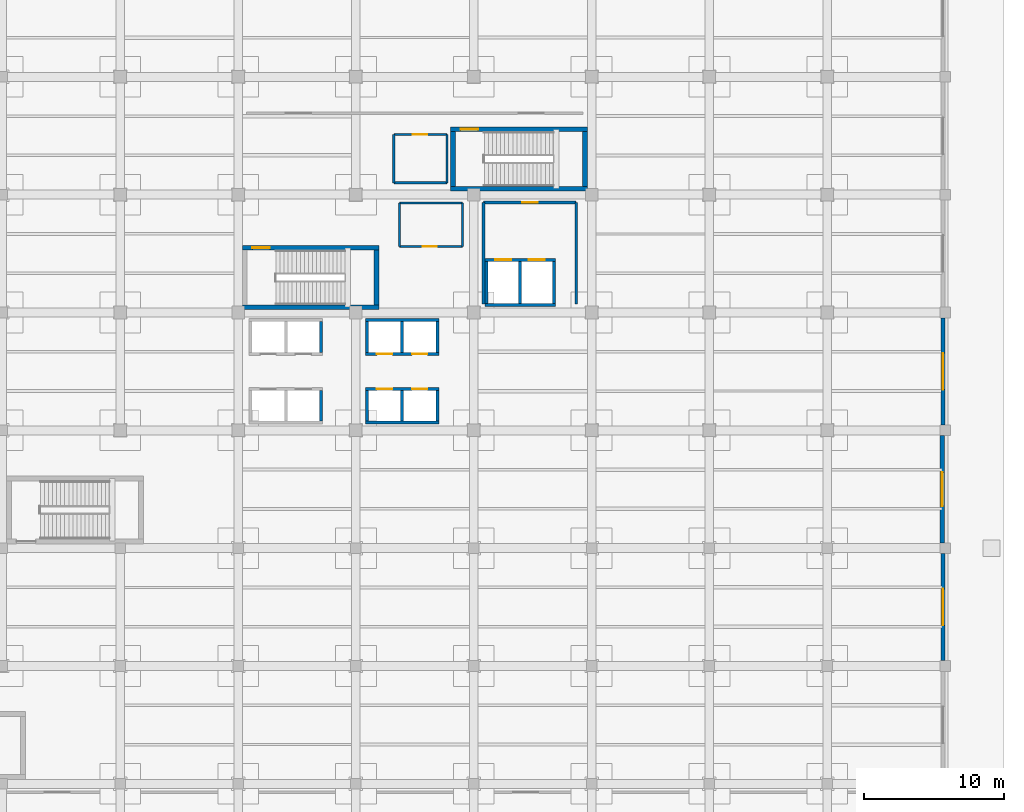
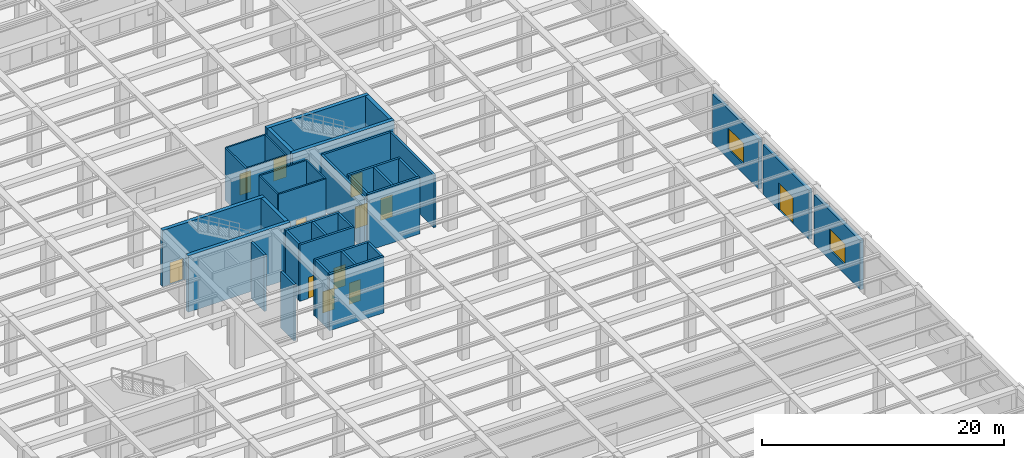
# One storey, part 30 of 43: 38 walls, 12 doors, 2 windows, 14 openings.
"""IFC4 building model written with IfcOpenShell, lengths in metres."""

from ifc_helpers import new_model, si_unit, direction, frame, frame_2d, origin, place, context, subcontext, project, spatial, rectangle, extrude, material, layer, layer_set, type_object, element, fill, save


model = new_model("IFC4")

# Units and contexts
model_context = context("Model", 3, precision=1e-05, world=origin(), true_north=direction((0.0, 1.0)))
body_context = subcontext(model_context, "Body", "Model", "MODEL_VIEW")
ifc_project = project(units=[si_unit("LENGTHUNIT", "METRE"), si_unit("AREAUNIT", "SQUARE_METRE"), si_unit("VOLUMEUNIT", "CUBIC_METRE"), si_unit("PLANEANGLEUNIT", "RADIAN"), si_unit("MASSUNIT", "GRAM", prefix="KILO")], contexts=[model_context])

# Site, building, storey
site_placement = place(None, origin())
site = spatial("IfcSite", under=ifc_project, at=site_placement, CompositionType="ELEMENT")
building_placement = place(site_placement, origin())
building = spatial("IfcBuilding", under=site, at=building_placement, Name="Almacenes y Pasaje Nevantli", CompositionType="ELEMENT")
storey_placement = place(building_placement, origin())
storey = spatial("IfcBuildingStorey", under=building, at=storey_placement, Name="L01", CompositionType="ELEMENT", Elevation=0.0)

# Wall, opening, door
ifc_material_1 = material(Name="Fire-Rated Concrete Blockwork", Category="masonry")
ifc_layer_1 = layer(ifc_material_1, 0.199951171875)
ifc_layer_set_1 = layer_set([ifc_layer_1], Name="Fire-Rated Concrete Blockwork")
wall_type_1 = type_object("IfcWallType", Name="WL-COMP-200", PredefinedType="PARTITIONING", material=ifc_layer_set_1)
wall_1_placement = place(storey_placement, frame((135.10009765625, 83.449951171875, 0.0), z_axis=(0.0, 0.0, 1.0), x_axis=(1.0, 0.0, 0.0)))
wall_1 = element("IfcWall", 1, at=wall_1_placement, inside=storey, type_object=wall_type_1, Name="L01 Interior Partition Wall IW-200 #32", PredefinedType="PARTITIONING", context=body_context, shape_type="SweptSolid", body=[
    extrude(rectangle(XDim=6.599853515625, YDim=0.199951171875, at=frame_2d((3.2998046875, 0.0))), origin(), (0.0, 0.0, 1.0), 5.320068359375),
])
opening_1_placement = place(wall_1_placement, frame((2.75, 0.0, 0.0)))
opening_1 = element("IfcOpeningElement", 2, at=opening_1_placement, cuts=wall_1, Name="Opening ID-L01-015", PredefinedType="OPENING", context=body_context, shape_type="SweptSolid", body=[
    extrude(rectangle(XDim=1.10009765625, YDim=2.199951171875, at=frame_2d((0.550048828125, 1.10009765625))), frame((0.0, 0.10986328125, 0.0), z_axis=(0.0, -1.0, 0.0), x_axis=(1.0, 0.0, 0.0)), (0.0, 0.0, 1.0), 0.219970703125),
])
ifc_material_2 = material(Name="Galvanized Fire-Rated Steel", Category="steel")
door_type_1 = type_object("IfcDoorType", Name="DR-FD90-1100R", OperationType="SINGLE_SWING_RIGHT", PredefinedType="DOOR", material=ifc_material_2)
door_1_placement = place(opening_1_placement, origin())
door_1 = element("IfcDoor", 3, at=door_1_placement, inside=storey, type_object=door_type_1, Name="L01 Firefighting Lobby Door", OperationType="SINGLE_SWING_RIGHT", OverallHeight=2.199951171875, OverallWidth=1.10009765625, PredefinedType="DOOR", context=body_context, shape_type="SweptSolid", body=[
    extrude(rectangle(XDim=1.10009765625, YDim=2.199951171875, at=frame_2d((0.550048828125, 1.10009765625))), frame((0.0, 0.02490234375, 0.0), z_axis=(0.0, -1.0, 0.0), x_axis=(1.0, 0.0, 0.0)), (0.0, 0.0, 1.0), 0.050048828125),
])
fill(opening_1, door_1)

# Walls
for number, where, z_axis, x_axis, name in (
    (4, (135.10009765625, 76.199951171875, 0.0), (0.0, 0.0, 1.0), (0.0, 1.0, 0.0), "L01 Interior Partition Wall IW-200 #33"),
    (5, (141.699951171875, 76.199951171875, 0.0), (0.0, 0.0, 1.0), (0.0, 1.0, 0.0), "L01 Interior Partition Wall IW-200 #34"),
):
    element("IfcWall", number, at=place(storey_placement, frame(where, z_axis=z_axis, x_axis=x_axis)), inside=storey, type_object=wall_type_1, Name=name, PredefinedType="PARTITIONING", context=body_context, shape_type="SweptSolid", body=[
        extrude(rectangle(XDim=7.25, YDim=0.199951171875, at=frame_2d((3.625, 0.0))), origin(), (0.0, 0.0, 1.0), 5.320068359375),
    ])
ifc_material_3 = material(Name="Concrete C45/55", Category="concrete")
ifc_layer_2 = layer(ifc_material_3, 0.35009765625)
ifc_layer_set_2 = layer_set([ifc_layer_2], Name="Concrete C45/55")
wall_type_2 = type_object("IfcWallType", Name="WL-CORE-350", PredefinedType="SHEAR", material=ifc_layer_set_2)
wall_2_placement = place(storey_placement, frame((117.89990234375, 75.97509765625, 0.0), z_axis=(0.0, 0.0, 1.0), x_axis=(1.0, 0.0, 0.0)))
element("IfcWall", 6, at=wall_2_placement, inside=storey, type_object=wall_type_2, Name="L01 Exit Stair ST-01 South Core Shear Wall", PredefinedType="SHEAR", context=body_context, shape_type="SweptSolid", body=[
    extrude(rectangle(XDim=9.75, YDim=0.35009765625, at=frame_2d((4.875, 0.0))), origin(), (0.0, 0.0, 1.0), 5.699951171875),
])

# Wall, opening, door
wall_3_placement = place(storey_placement, frame((117.89990234375, 80.215087890625, 0.0), z_axis=(0.0, 0.0, 1.0), x_axis=(1.0, 0.0, 0.0)))
wall_3 = element("IfcWall", 7, at=wall_3_placement, inside=storey, type_object=wall_type_2, Name="L01 Exit Stair ST-01 North Core Shear Wall", PredefinedType="SHEAR", context=body_context, shape_type="SweptSolid", body=[
    extrude(rectangle(XDim=9.75, YDim=0.35009765625, at=frame_2d((4.875, 0.0))), origin(), (0.0, 0.0, 1.0), 5.699951171875),
])
opening_2_placement = place(wall_3_placement, frame((0.719970703125, 0.0, 0.0)))
opening_2 = element("IfcOpeningElement", 8, at=opening_2_placement, cuts=wall_3, Name="Opening SD-01-L01", PredefinedType="OPENING", context=body_context, shape_type="SweptSolid", body=[
    extrude(rectangle(XDim=1.25, YDim=2.199951171875, at=frame_2d((0.625, 1.10009765625))), frame((0.0, 0.18505859375, 0.0), z_axis=(0.0, -1.0, 0.0), x_axis=(1.0, 0.0, 0.0)), (0.0, 0.0, 1.0), 0.3701171875),
])
ifc_material_4 = material(Name="Galvanized Fire-Rated Steel", Category="steel")
door_type_2 = type_object("IfcDoorType", Name="DR-STAIR-1250", OperationType="SINGLE_SWING_LEFT", PredefinedType="DOOR", material=ifc_material_4)
door_2_placement = place(opening_2_placement, origin())
door_2 = element("IfcDoor", 9, at=door_2_placement, inside=storey, type_object=door_type_2, Name="L01 Smokeproof Exit Stair ST-01 Fire Door", OperationType="SINGLE_SWING_LEFT", OverallHeight=2.199951171875, OverallWidth=1.25, PredefinedType="DOOR", context=body_context, shape_type="SweptSolid", body=[
    extrude(rectangle(XDim=1.25, YDim=2.199951171875, at=frame_2d((0.625, 1.10009765625))), frame((0.0, 0.02490234375, 0.0), z_axis=(0.0, -1.0, 0.0), x_axis=(1.0, 0.0, 0.0)), (0.0, 0.0, 1.0), 0.050048828125),
])
fill(opening_2, door_2)

# Walls
wall_4_placement = place(storey_placement, frame((127.47509765625, 76.14990234375, 0.0), z_axis=(0.0, 0.0, 1.0), x_axis=(0.0, 1.0, 0.0)))
element("IfcWall", 10, at=wall_4_placement, inside=storey, type_object=wall_type_2, Name="L01 Exit Stair ST-01 East Core Shear Wall", PredefinedType="SHEAR", context=body_context, shape_type="SweptSolid", body=[
    extrude(rectangle(XDim=3.89013671875, YDim=0.35009765625, at=frame_2d((1.945068359375, 0.0))), origin(), (0.0, 0.0, 1.0), 5.699951171875),
])
wall_5_placement = place(storey_placement, frame((132.75, 84.425048828125, 0.0), z_axis=(0.0, 0.0, 1.0), x_axis=(1.0, 0.0, 0.0)))
element("IfcWall", 11, at=wall_5_placement, inside=storey, type_object=wall_type_2, Name="L01 Exit Stair ST-02 South Core Shear Wall", PredefinedType="SHEAR", context=body_context, shape_type="SweptSolid", body=[
    extrude(rectangle(XDim=9.75, YDim=0.35009765625, at=frame_2d((4.875, 0.0))), origin(), (0.0, 0.0, 1.0), 5.699951171875),
])

# Wall, opening, door
wall_6_placement = place(storey_placement, frame((132.75, 88.6650390625, 0.0), z_axis=(0.0, 0.0, 1.0), x_axis=(1.0, 0.0, 0.0)))
wall_6 = element("IfcWall", 12, at=wall_6_placement, inside=storey, type_object=wall_type_2, Name="L01 Exit Stair ST-02 North Core Shear Wall", PredefinedType="SHEAR", context=body_context, shape_type="SweptSolid", body=[
    extrude(rectangle(XDim=9.75, YDim=0.35009765625, at=frame_2d((4.875, 0.0))), origin(), (0.0, 0.0, 1.0), 5.699951171875),
])
opening_3_placement = place(wall_6_placement, frame((0.719970703125, 0.0, 0.0)))
opening_3 = element("IfcOpeningElement", 13, at=opening_3_placement, cuts=wall_6, Name="Opening SD-02-L01", PredefinedType="OPENING", context=body_context, shape_type="SweptSolid", body=[
    extrude(rectangle(XDim=1.25, YDim=2.199951171875, at=frame_2d((0.625, 1.10009765625))), frame((0.0, 0.18505859375, 0.0), z_axis=(0.0, -1.0, 0.0), x_axis=(1.0, 0.0, 0.0)), (0.0, 0.0, 1.0), 0.3701171875),
])
ifc_material_5 = material(Name="Galvanized Fire-Rated Steel", Category="steel")
door_type_3 = type_object("IfcDoorType", Name="DR-STAIR-1250R", OperationType="SINGLE_SWING_RIGHT", PredefinedType="DOOR", material=ifc_material_5)
door_3_placement = place(opening_3_placement, origin())
door_3 = element("IfcDoor", 14, at=door_3_placement, inside=storey, type_object=door_type_3, Name="L01 Smokeproof Exit Stair ST-02 Fire Door", OperationType="SINGLE_SWING_RIGHT", OverallHeight=2.199951171875, OverallWidth=1.25, PredefinedType="DOOR", context=body_context, shape_type="SweptSolid", body=[
    extrude(rectangle(XDim=1.25, YDim=2.199951171875, at=frame_2d((0.625, 1.10009765625))), frame((0.0, 0.02490234375, 0.0), z_axis=(0.0, -1.0, 0.0), x_axis=(1.0, 0.0, 0.0)), (0.0, 0.0, 1.0), 0.050048828125),
])
fill(opening_3, door_3)

# Walls
for number, where, z_axis, x_axis, name in (
    (15, (132.925048828125, 84.60009765625, 0.0), (0.0, 0.0, 1.0), (0.0, 1.0, 0.0), "L01 Exit Stair ST-02 West Core Shear Wall"),
    (16, (142.324951171875, 84.60009765625, 0.0), (0.0, 0.0, 1.0), (0.0, 1.0, 0.0), "L01 Exit Stair ST-02 East Core Shear Wall"),
):
    element("IfcWall", number, at=place(storey_placement, frame(where, z_axis=z_axis, x_axis=x_axis)), inside=storey, type_object=wall_type_2, Name=name, PredefinedType="SHEAR", context=body_context, shape_type="SweptSolid", body=[
        extrude(rectangle(XDim=3.889892578125, YDim=0.35009765625, at=frame_2d((1.94482421875, 0.0))), origin(), (0.0, 0.0, 1.0), 5.699951171875),
    ])

# Wall, opening, window
ifc_material_6 = material(Name="Architectural Precast Concrete C35/45 Plinth Wall", Category="concrete")
ifc_layer_3 = layer(ifc_material_6, 0.31005859375)
ifc_layer_set_3 = layer_set([ifc_layer_3], Name="Architectural Precast Concrete C35/45 Plinth Wall")
wall_type_3 = type_object("IfcWallType", Name="WL-EXT-RECINTO-310", PredefinedType="SOLIDWALL", material=ifc_layer_set_3)
wall_7_placement = place(storey_placement, frame((167.85009765625, 50.778076171875, 0.0), z_axis=(0.0, 0.0, 1.0), x_axis=(0.0, 1.0, 0.0)))
wall_7 = element("IfcWall", 17, at=wall_7_placement, inside=storey, type_object=wall_type_3, Name="L01 East Facade Wall Bay 7", PredefinedType="SOLIDWALL", context=body_context, shape_type="SweptSolid", body=[
    extrude(rectangle(XDim=7.64404296875, YDim=0.31005859375, at=frame_2d((3.822021484375, 0.0))), origin(), (0.0, 0.0, 1.0), 4.97998046875),
])
opening_4_placement = place(wall_7_placement, frame((2.52197265625, 0.0, 1.0)))
opening_4 = element("IfcOpeningElement", 18, at=opening_4_placement, cuts=wall_7, Name="Opening WT-13-038", PredefinedType="OPENING", context=body_context, shape_type="SweptSolid", body=[
    extrude(rectangle(XDim=2.60009765625, YDim=2.10009765625, at=frame_2d((1.300048828125, 1.050048828125))), frame((0.0, 0.1650390625, 0.0), z_axis=(0.0, -1.0, 0.0), x_axis=(1.0, 0.0, 0.0)), (0.0, 0.0, 1.0), 0.330078125),
])
ifc_material_7 = material(Name="Thermally Broken Aluminium and Low-E Double Glazing", Category="aluminium")
window_type = type_object("IfcWindowType", Name="WN-POD-2600x2100", PartitioningType="SINGLE_PANEL", PredefinedType="WINDOW", material=ifc_material_7)
window_1_placement = place(opening_4_placement, origin())
window_1 = element("IfcWindow", 19, at=window_1_placement, inside=storey, type_object=window_type, Name="L01 Exterior Window WT-13 #38", OverallHeight=2.10009765625, OverallWidth=2.60009765625, PartitioningType="SINGLE_PANEL", PredefinedType="WINDOW", context=body_context, shape_type="SweptSolid", body=[
    extrude(rectangle(XDim=2.60009765625, YDim=2.10009765625, at=frame_2d((1.300048828125, 1.050048828125))), frame((0.0, 0.030029296875, 0.0), z_axis=(0.0, -1.0, 0.0), x_axis=(1.0, 0.0, 0.0)), (0.0, 0.0, 1.0), 0.06005859375),
])
fill(opening_4, window_1)

# Wall, opening, door
wall_8_placement = place(storey_placement, frame((167.800048828125, 59.177978515625, 0.0), z_axis=(0.0, 0.0, 1.0), x_axis=(0.0, 1.0, 0.0)))
wall_8 = element("IfcWall", 20, at=wall_8_placement, inside=storey, type_object=wall_type_3, Name="L01 East Avenue Entrance Wall Bay 8", PredefinedType="SOLIDWALL", context=body_context, shape_type="SweptSolid", body=[
    extrude(rectangle(XDim=7.64404296875, YDim=0.31005859375, at=frame_2d((3.822021484375, 0.0))), origin(), (0.0, 0.0, 1.0), 4.97998046875),
])
opening_5_placement = place(wall_8_placement, frame((2.6220703125, 0.0, 0.0)))
opening_5 = element("IfcOpeningElement", 21, at=opening_5_placement, cuts=wall_8, Name="Opening ED-L01-035", PredefinedType="OPENING", context=body_context, shape_type="SweptSolid", body=[
    extrude(rectangle(XDim=2.39990234375, YDim=2.699951171875, at=frame_2d((1.199951171875, 1.35009765625))), frame((0.0, 0.1650390625, 0.0), z_axis=(0.0, -1.0, 0.0), x_axis=(1.0, 0.0, 0.0)), (0.0, 0.0, 1.0), 0.330078125),
])
ifc_material_8 = material(Name="Anodized Aluminium and Safety Glass", Category="aluminium")
door_type_4 = type_object("IfcDoorType", Name="DR-EXT-DBL-2400", OperationType="DOUBLE_DOOR_SINGLE_SWING", PredefinedType="DOOR", material=ifc_material_8)
door_4_placement = place(opening_5_placement, origin())
door_4 = element("IfcDoor", 22, at=door_4_placement, inside=storey, type_object=door_type_4, Name="L01 East Avenue Entrance Door Bay 8", OperationType="DOUBLE_DOOR_SINGLE_SWING", OverallHeight=2.699951171875, OverallWidth=2.39990234375, PredefinedType="DOOR", context=body_context, shape_type="SweptSolid", body=[
    extrude(rectangle(XDim=2.39990234375, YDim=2.699951171875, at=frame_2d((1.199951171875, 1.35009765625))), frame((0.0, 0.02490234375, 0.0), z_axis=(0.0, -1.0, 0.0), x_axis=(1.0, 0.0, 0.0)), (0.0, 0.0, 1.0), 0.050048828125),
])
fill(opening_5, door_4)

# Wall, opening, window
wall_9_placement = place(storey_placement, frame((167.85009765625, 67.577880859375, 0.0), z_axis=(0.0, 0.0, 1.0), x_axis=(0.0, 1.0, 0.0)))
wall_9 = element("IfcWall", 23, at=wall_9_placement, inside=storey, type_object=wall_type_3, Name="L01 East Facade Wall Bay 9", PredefinedType="SOLIDWALL", context=body_context, shape_type="SweptSolid", body=[
    extrude(rectangle(XDim=7.64404296875, YDim=0.31005859375, at=frame_2d((3.822021484375, 0.0))), origin(), (0.0, 0.0, 1.0), 4.97998046875),
])
opening_6_placement = place(wall_9_placement, frame((2.52197265625, 0.0, 1.0)))
opening_6 = element("IfcOpeningElement", 24, at=opening_6_placement, cuts=wall_9, Name="Opening WT-13-039", PredefinedType="OPENING", context=body_context, shape_type="SweptSolid", body=[
    extrude(rectangle(XDim=2.60009765625, YDim=2.10009765625, at=frame_2d((1.300048828125, 1.050048828125))), frame((0.0, 0.1650390625, 0.0), z_axis=(0.0, -1.0, 0.0), x_axis=(1.0, 0.0, 0.0)), (0.0, 0.0, 1.0), 0.330078125),
])
window_2_placement = place(opening_6_placement, origin())
window_2 = element("IfcWindow", 25, at=window_2_placement, inside=storey, type_object=window_type, Name="L01 Exterior Window WT-13 #39", OverallHeight=2.10009765625, OverallWidth=2.60009765625, PartitioningType="SINGLE_PANEL", PredefinedType="WINDOW", context=body_context, shape_type="SweptSolid", body=[
    extrude(rectangle(XDim=2.60009765625, YDim=2.10009765625, at=frame_2d((1.300048828125, 1.050048828125))), frame((0.0, 0.030029296875, 0.0), z_axis=(0.0, -1.0, 0.0), x_axis=(1.0, 0.0, 0.0)), (0.0, 0.0, 1.0), 0.06005859375),
])
fill(opening_6, window_2)

# Wall, opening, door
ifc_material_9 = material(Name="Acoustic Steel-Stud Gypsum Partition", Category="steel")
ifc_layer_4 = layer(ifc_material_9, 0.14990234375)
ifc_layer_set_4 = layer_set([ifc_layer_4], Name="Acoustic Steel-Stud Gypsum Partition")
wall_type_4 = type_object("IfcWallType", Name="WL-PART-150", PredefinedType="PARTITIONING", material=ifc_layer_set_4)
wall_10_placement = place(storey_placement, frame((129.10009765625, 80.300048828125, 0.0), z_axis=(0.0, 0.0, 1.0), x_axis=(1.0, 0.0, 0.0)))
wall_10 = element("IfcWall", 26, at=wall_10_placement, inside=storey, type_object=wall_type_4, Name="L01 Interior Partition Wall IW-150 #35", PredefinedType="PARTITIONING", context=body_context, shape_type="SweptSolid", body=[
    extrude(rectangle(XDim=4.5, YDim=0.14990234375, at=frame_2d((2.25, 0.0))), origin(), (0.0, 0.0, 1.0), 5.320068359375),
])
opening_7_placement = place(wall_10_placement, frame((1.64990234375, 0.0, 0.0)))
opening_7 = element("IfcOpeningElement", 27, at=opening_7_placement, cuts=wall_10, Name="Opening ID-L01-016", PredefinedType="OPENING", context=body_context, shape_type="SweptSolid", body=[
    extrude(rectangle(XDim=1.0, YDim=2.10009765625, at=frame_2d((0.5, 1.050048828125))), frame((0.0, 0.0849609375, 0.0), z_axis=(0.0, -1.0, 0.0), x_axis=(1.0, 0.0, 0.0)), (0.0, 0.0, 1.0), 0.169921875),
])
ifc_material_10 = material(Name="Powder-Coated Hollow Metal", Category="steel")
door_type_5 = type_object("IfcDoorType", Name="DR-INT-1000", OperationType="SINGLE_SWING_LEFT", PredefinedType="DOOR", material=ifc_material_10)
door_5_placement = place(opening_7_placement, origin())
door_5 = element("IfcDoor", 28, at=door_5_placement, inside=storey, type_object=door_type_5, Name="L01 Staff and Public WC Door", OperationType="SINGLE_SWING_LEFT", OverallHeight=2.10009765625, OverallWidth=1.0, PredefinedType="DOOR", context=body_context, shape_type="SweptSolid", body=[
    extrude(rectangle(XDim=1.0, YDim=2.10009765625, at=frame_2d((0.5, 1.050048828125))), frame((0.0, 0.02490234375, 0.0), z_axis=(0.0, -1.0, 0.0), x_axis=(1.0, 0.0, 0.0)), (0.0, 0.0, 1.0), 0.050048828125),
])
fill(opening_7, door_5)

# Walls
wall_11_placement = place(storey_placement, frame((129.10009765625, 83.39990234375, 0.0), z_axis=(0.0, 0.0, 1.0), x_axis=(1.0, 0.0, 0.0)))
element("IfcWall", 29, at=wall_11_placement, inside=storey, type_object=wall_type_4, Name="L01 Interior Partition Wall IW-150 #36", PredefinedType="PARTITIONING", context=body_context, shape_type="SweptSolid", body=[
    extrude(rectangle(XDim=4.5, YDim=0.14990234375, at=frame_2d((2.25, 0.0))), origin(), (0.0, 0.0, 1.0), 5.320068359375),
])
for number, where, z_axis, x_axis, name in (
    (30, (129.10009765625, 80.300048828125, 0.0), (0.0, 0.0, 1.0), (0.0, 1.0, 0.0), "L01 Interior Partition Wall IW-150 #37"),
    (31, (133.60009765625, 80.300048828125, 0.0), (0.0, 0.0, 1.0), (0.0, 1.0, 0.0), "L01 Interior Partition Wall IW-150 #38"),
):
    element("IfcWall", number, at=place(storey_placement, frame(where, z_axis=z_axis, x_axis=x_axis)), inside=storey, type_object=wall_type_4, Name=name, PredefinedType="PARTITIONING", context=body_context, shape_type="SweptSolid", body=[
        extrude(rectangle(XDim=3.099853515625, YDim=0.14990234375, at=frame_2d((1.5498046875, 0.0))), origin(), (0.0, 0.0, 1.0), 5.320068359375),
    ])

# Wall, opening, door
wall_12_placement = place(storey_placement, frame((128.699951171875, 88.300048828125, 0.0), z_axis=(0.0, 0.0, 1.0), x_axis=(1.0, 0.0, 0.0)))
wall_12 = element("IfcWall", 32, at=wall_12_placement, inside=storey, type_object=wall_type_4, Name="L01 Interior Partition Wall IW-150 #39", PredefinedType="PARTITIONING", context=body_context, shape_type="SweptSolid", body=[
    extrude(rectangle(XDim=3.800048828125, YDim=0.14990234375, at=frame_2d((1.89990234375, 0.0))), origin(), (0.0, 0.0, 1.0), 5.320068359375),
])
opening_8_placement = place(wall_12_placement, frame((1.35009765625, 0.0, 0.0)))
opening_8 = element("IfcOpeningElement", 33, at=opening_8_placement, cuts=wall_12, Name="Opening ID-L01-017", PredefinedType="OPENING", context=body_context, shape_type="SweptSolid", body=[
    extrude(rectangle(XDim=1.050048828125, YDim=2.14990234375, at=frame_2d((0.52490234375, 1.074951171875))), frame((0.0, 0.0849609375, 0.0), z_axis=(0.0, -1.0, 0.0), x_axis=(1.0, 0.0, 0.0)), (0.0, 0.0, 1.0), 0.169921875),
])
ifc_material_11 = material(Name="Powder-Coated Hollow Metal", Category="steel")
door_type_6 = type_object("IfcDoorType", Name="DR-ACC-1050", OperationType="SINGLE_SWING_RIGHT", PredefinedType="DOOR", material=ifc_material_11)
door_6_placement = place(opening_8_placement, origin())
door_6 = element("IfcDoor", 34, at=door_6_placement, inside=storey, type_object=door_type_6, Name="L01 Accessible WC Door", OperationType="SINGLE_SWING_RIGHT", OverallHeight=2.14990234375, OverallWidth=1.050048828125, PredefinedType="DOOR", context=body_context, shape_type="SweptSolid", body=[
    extrude(rectangle(XDim=1.050048828125, YDim=2.14990234375, at=frame_2d((0.52490234375, 1.074951171875))), frame((0.0, 0.02490234375, 0.0), z_axis=(0.0, -1.0, 0.0), x_axis=(1.0, 0.0, 0.0)), (0.0, 0.0, 1.0), 0.050048828125),
])
fill(opening_8, door_6)

# Walls
wall_13_placement = place(storey_placement, frame((128.699951171875, 84.85009765625, 0.0), z_axis=(0.0, 0.0, 1.0), x_axis=(1.0, 0.0, 0.0)))
element("IfcWall", 35, at=wall_13_placement, inside=storey, type_object=wall_type_4, Name="L01 Interior Partition Wall IW-150 #40", PredefinedType="PARTITIONING", context=body_context, shape_type="SweptSolid", body=[
    extrude(rectangle(XDim=3.800048828125, YDim=0.14990234375, at=frame_2d((1.89990234375, 0.0))), origin(), (0.0, 0.0, 1.0), 5.320068359375),
])
for number, where, z_axis, x_axis, name in (
    (36, (128.699951171875, 84.85009765625, 0.0), (0.0, 0.0, 1.0), (0.0, 1.0, 0.0), "L01 Interior Partition Wall IW-150 #41"),
    (37, (132.5, 84.85009765625, 0.0), (0.0, 0.0, 1.0), (0.0, 1.0, 0.0), "L01 Interior Partition Wall IW-150 #42"),
):
    element("IfcWall", number, at=place(storey_placement, frame(where, z_axis=z_axis, x_axis=x_axis)), inside=storey, type_object=wall_type_4, Name=name, PredefinedType="PARTITIONING", context=body_context, shape_type="SweptSolid", body=[
        extrude(rectangle(XDim=3.449951171875, YDim=0.14990234375, at=frame_2d((1.72509765625, 0.0))), origin(), (0.0, 0.0, 1.0), 5.320068359375),
    ])
ifc_material_12 = material(Name="Concrete C45/55", Category="concrete")
ifc_layer_5 = layer(ifc_material_12, 0.2099609375)
ifc_layer_set_5 = layer_set([ifc_layer_5], Name="Concrete C45/55")
wall_type_5 = type_object("IfcWallType", Name="WL-SHAFT-210", PredefinedType="SHEAR", material=ifc_layer_set_5)
wall_14_placement = place(storey_placement, frame((126.68994140625, 67.7451171875, 0.0), z_axis=(0.0, 0.0, 1.0), x_axis=(1.0, 0.0, 0.0)))
element("IfcWall", 38, at=wall_14_placement, inside=storey, type_object=wall_type_5, Name="L01 Lift Hoistway ELV-P01-ELV-P02 South Wall", PredefinedType="SHEAR", context=body_context, shape_type="SweptSolid", body=[
    extrude(rectangle(XDim=5.219970703125, YDim=0.2099609375, at=frame_2d((2.60986328125, 0.0))), origin(), (0.0, 0.0, 1.0), 5.699951171875),
])

# Wall, openings, doors
wall_15_placement = place(storey_placement, frame((126.68994140625, 70.155029296875, 0.0), z_axis=(0.0, 0.0, 1.0), x_axis=(1.0, 0.0, 0.0)))
wall_15 = element("IfcWall", 39, at=wall_15_placement, inside=storey, type_object=wall_type_5, Name="L01 Lift Hoistway ELV-P01-ELV-P02 North Wall", PredefinedType="SHEAR", context=body_context, shape_type="SweptSolid", body=[
    extrude(rectangle(XDim=5.219970703125, YDim=0.2099609375, at=frame_2d((2.60986328125, 0.0))), origin(), (0.0, 0.0, 1.0), 5.699951171875),
])
opening_9_placement = place(wall_15_placement, frame((0.81005859375, 0.0, 0.0)))
opening_9 = element("IfcOpeningElement", 40, at=opening_9_placement, cuts=wall_15, Name="Opening LD-P01-L01", PredefinedType="OPENING", context=body_context, shape_type="SweptSolid", body=[
    extrude(rectangle(XDim=1.10009765625, YDim=2.14990234375, at=frame_2d((0.550048828125, 1.074951171875))), frame((0.0, 0.114990234375, 0.0), z_axis=(0.0, -1.0, 0.0), x_axis=(1.0, 0.0, 0.0)), (0.0, 0.0, 1.0), 0.22998046875),
])
opening_10_placement = place(wall_15_placement, frame((3.31005859375, 0.0, 0.0)))
opening_10 = element("IfcOpeningElement", 41, at=opening_10_placement, cuts=wall_15, Name="Opening LD-P02-L01", PredefinedType="OPENING", context=body_context, shape_type="SweptSolid", body=[
    extrude(rectangle(XDim=1.10009765625, YDim=2.14990234375, at=frame_2d((0.550048828125, 1.074951171875))), frame((0.0, 0.114990234375, 0.0), z_axis=(0.0, -1.0, 0.0), x_axis=(1.0, 0.0, 0.0)), (0.0, 0.0, 1.0), 0.22998046875),
])
ifc_material_13 = material(Name="Brushed Stainless Steel", Category="steel")
door_type_7 = type_object("IfcDoorType", Name="DR-LD-PASS-1100", OperationType="DOUBLE_DOOR_SLIDING", PredefinedType="DOOR", material=ifc_material_13)
door_7_placement = place(opening_9_placement, origin())
door_7 = element("IfcDoor", 42, at=door_7_placement, inside=storey, type_object=door_type_7, Name="Lift Landing Door ELV-P01 L01", OperationType="DOUBLE_DOOR_SLIDING", OverallHeight=2.14990234375, OverallWidth=1.10009765625, PredefinedType="DOOR", context=body_context, shape_type="SweptSolid", body=[
    extrude(rectangle(XDim=1.10009765625, YDim=2.14990234375, at=frame_2d((0.550048828125, 1.074951171875))), frame((0.0, 0.02490234375, 0.0), z_axis=(0.0, -1.0, 0.0), x_axis=(1.0, 0.0, 0.0)), (0.0, 0.0, 1.0), 0.050048828125),
])
fill(opening_9, door_7)
door_8_placement = place(opening_10_placement, origin())
door_8 = element("IfcDoor", 43, at=door_8_placement, inside=storey, type_object=door_type_7, Name="Lift Landing Door ELV-P02 L01", OperationType="DOUBLE_DOOR_SLIDING", OverallHeight=2.14990234375, OverallWidth=1.10009765625, PredefinedType="DOOR", context=body_context, shape_type="SweptSolid", body=[
    extrude(rectangle(XDim=1.10009765625, YDim=2.14990234375, at=frame_2d((0.550048828125, 1.074951171875))), frame((0.0, 0.02490234375, 0.0), z_axis=(0.0, -1.0, 0.0), x_axis=(1.0, 0.0, 0.0)), (0.0, 0.0, 1.0), 0.050048828125),
])
fill(opening_10, door_8)

# Walls
for number, where, z_axis, x_axis, name in (
    (44, (126.794921875, 67.85009765625, 0.0), (0.0, 0.0, 1.0), (0.0, 1.0, 0.0), "L01 Lift Hoistway ELV-P01 West Wall"),
    (45, (131.804931640625, 67.85009765625, 0.0), (0.0, 0.0, 1.0), (0.0, 1.0, 0.0), "L01 Lift Hoistway ELV-P02 East Wall"),
    (46, (129.300048828125, 67.85009765625, 0.0), (0.0, 0.0, 1.0), (0.0, 1.0, 0.0), "L01 Lift Hoistway Divider Wall ELV-P01/ELV-P02"),
):
    element("IfcWall", number, at=place(storey_placement, frame(where, z_axis=z_axis, x_axis=x_axis)), inside=storey, type_object=wall_type_5, Name=name, PredefinedType="SHEAR", context=body_context, shape_type="SweptSolid", body=[
        extrude(rectangle(XDim=2.199951171875, YDim=0.2099609375, at=frame_2d((1.10009765625, 0.0))), origin(), (0.0, 0.0, 1.0), 5.699951171875),
    ])

# Wall, openings, doors
wall_16_placement = place(storey_placement, frame((126.68994140625, 72.64501953125, 0.0), z_axis=(0.0, 0.0, 1.0), x_axis=(1.0, 0.0, 0.0)))
wall_16 = element("IfcWall", 47, at=wall_16_placement, inside=storey, type_object=wall_type_5, Name="L01 Lift Hoistway ELV-P03-ELV-P04 South Wall", PredefinedType="SHEAR", context=body_context, shape_type="SweptSolid", body=[
    extrude(rectangle(XDim=5.219970703125, YDim=0.2099609375, at=frame_2d((2.60986328125, 0.0))), origin(), (0.0, 0.0, 1.0), 5.699951171875),
])
opening_11_placement = place(wall_16_placement, frame((0.81005859375, 0.0, 0.0)))
opening_11 = element("IfcOpeningElement", 48, at=opening_11_placement, cuts=wall_16, Name="Opening LD-P03-L01", PredefinedType="OPENING", context=body_context, shape_type="SweptSolid", body=[
    extrude(rectangle(XDim=1.10009765625, YDim=2.14990234375, at=frame_2d((0.550048828125, 1.074951171875))), frame((0.0, 0.114990234375, 0.0), z_axis=(0.0, -1.0, 0.0), x_axis=(1.0, 0.0, 0.0)), (0.0, 0.0, 1.0), 0.22998046875),
])
opening_12_placement = place(wall_16_placement, frame((3.31005859375, 0.0, 0.0)))
opening_12 = element("IfcOpeningElement", 49, at=opening_12_placement, cuts=wall_16, Name="Opening LD-P04-L01", PredefinedType="OPENING", context=body_context, shape_type="SweptSolid", body=[
    extrude(rectangle(XDim=1.10009765625, YDim=2.14990234375, at=frame_2d((0.550048828125, 1.074951171875))), frame((0.0, 0.114990234375, 0.0), z_axis=(0.0, -1.0, 0.0), x_axis=(1.0, 0.0, 0.0)), (0.0, 0.0, 1.0), 0.22998046875),
])
door_9_placement = place(opening_11_placement, origin())
door_9 = element("IfcDoor", 50, at=door_9_placement, inside=storey, type_object=door_type_7, Name="Lift Landing Door ELV-P03 L01", OperationType="DOUBLE_DOOR_SLIDING", OverallHeight=2.14990234375, OverallWidth=1.10009765625, PredefinedType="DOOR", context=body_context, shape_type="SweptSolid", body=[
    extrude(rectangle(XDim=1.10009765625, YDim=2.14990234375, at=frame_2d((0.550048828125, 1.074951171875))), frame((0.0, 0.02490234375, 0.0), z_axis=(0.0, -1.0, 0.0), x_axis=(1.0, 0.0, 0.0)), (0.0, 0.0, 1.0), 0.050048828125),
])
fill(opening_11, door_9)
door_10_placement = place(opening_12_placement, origin())
door_10 = element("IfcDoor", 51, at=door_10_placement, inside=storey, type_object=door_type_7, Name="Lift Landing Door ELV-P04 L01", OperationType="DOUBLE_DOOR_SLIDING", OverallHeight=2.14990234375, OverallWidth=1.10009765625, PredefinedType="DOOR", context=body_context, shape_type="SweptSolid", body=[
    extrude(rectangle(XDim=1.10009765625, YDim=2.14990234375, at=frame_2d((0.550048828125, 1.074951171875))), frame((0.0, 0.02490234375, 0.0), z_axis=(0.0, -1.0, 0.0), x_axis=(1.0, 0.0, 0.0)), (0.0, 0.0, 1.0), 0.050048828125),
])
fill(opening_12, door_10)

# Walls
wall_17_placement = place(storey_placement, frame((126.68994140625, 75.054931640625, 0.0), z_axis=(0.0, 0.0, 1.0), x_axis=(1.0, 0.0, 0.0)))
element("IfcWall", 52, at=wall_17_placement, inside=storey, type_object=wall_type_5, Name="L01 Lift Hoistway ELV-P03-ELV-P04 North Wall", PredefinedType="SHEAR", context=body_context, shape_type="SweptSolid", body=[
    extrude(rectangle(XDim=5.219970703125, YDim=0.2099609375, at=frame_2d((2.60986328125, 0.0))), origin(), (0.0, 0.0, 1.0), 5.699951171875),
])
for number, where, z_axis, x_axis, name in (
    (53, (126.794921875, 72.75, 0.0), (0.0, 0.0, 1.0), (0.0, 1.0, 0.0), "L01 Lift Hoistway ELV-P03 West Wall"),
    (54, (131.804931640625, 72.75, 0.0), (0.0, 0.0, 1.0), (0.0, 1.0, 0.0), "L01 Lift Hoistway ELV-P04 East Wall"),
    (55, (129.300048828125, 72.75, 0.0), (0.0, 0.0, 1.0), (0.0, 1.0, 0.0), "L01 Lift Hoistway Divider Wall ELV-P03/ELV-P04"),
    (56, (123.5048828125, 67.85009765625, 0.0), (0.0, 0.0, 1.0), (0.0, 1.0, 0.0), "L01 Lift Hoistway ELV-P06 East Wall"),
    (57, (123.5048828125, 72.75, 0.0), (0.0, 0.0, 1.0), (0.0, 1.0, 0.0), "L01 Lift Hoistway ELV-P08 East Wall"),
):
    element("IfcWall", number, at=place(storey_placement, frame(where, z_axis=z_axis, x_axis=x_axis)), inside=storey, type_object=wall_type_5, Name=name, PredefinedType="SHEAR", context=body_context, shape_type="SweptSolid", body=[
        extrude(rectangle(XDim=2.199951171875, YDim=0.2099609375, at=frame_2d((1.10009765625, 0.0))), origin(), (0.0, 0.0, 1.0), 5.699951171875),
    ])
wall_18_placement = place(storey_placement, frame((135.18994140625, 76.14501953125, 0.0), z_axis=(0.0, 0.0, 1.0), x_axis=(1.0, 0.0, 0.0)))
element("IfcWall", 58, at=wall_18_placement, inside=storey, type_object=wall_type_5, Name="L01 Lift Hoistway ELV-FF1-ELV-FF2 South Wall", PredefinedType="SHEAR", context=body_context, shape_type="SweptSolid", body=[
    extrude(rectangle(XDim=5.02001953125, YDim=0.2099609375, at=frame_2d((2.510009765625, 0.0))), origin(), (0.0, 0.0, 1.0), 5.699951171875),
])

# Wall, openings, doors
wall_19_placement = place(storey_placement, frame((135.18994140625, 79.35498046875, 0.0), z_axis=(0.0, 0.0, 1.0), x_axis=(1.0, 0.0, 0.0)))
wall_19 = element("IfcWall", 59, at=wall_19_placement, inside=storey, type_object=wall_type_5, Name="L01 Lift Hoistway ELV-FF1-ELV-FF2 North Wall", PredefinedType="SHEAR", context=body_context, shape_type="SweptSolid", body=[
    extrude(rectangle(XDim=5.02001953125, YDim=0.2099609375, at=frame_2d((2.510009765625, 0.0))), origin(), (0.0, 0.0, 1.0), 5.699951171875),
])
opening_13_placement = place(wall_19_placement, frame((0.735107421875, 0.0, 0.0)))
opening_13 = element("IfcOpeningElement", 60, at=opening_13_placement, cuts=wall_19, Name="Opening LD-FF1-L01", PredefinedType="OPENING", context=body_context, shape_type="SweptSolid", body=[
    extrude(rectangle(XDim=1.14990234375, YDim=2.199951171875, at=frame_2d((0.574951171875, 1.10009765625))), frame((0.0, 0.114990234375, 0.0), z_axis=(0.0, -1.0, 0.0), x_axis=(1.0, 0.0, 0.0)), (0.0, 0.0, 1.0), 0.22998046875),
])
opening_14_placement = place(wall_19_placement, frame((3.135009765625, 0.0, 0.0)))
opening_14 = element("IfcOpeningElement", 61, at=opening_14_placement, cuts=wall_19, Name="Opening LD-FF2-L01", PredefinedType="OPENING", context=body_context, shape_type="SweptSolid", body=[
    extrude(rectangle(XDim=1.14990234375, YDim=2.199951171875, at=frame_2d((0.574951171875, 1.10009765625))), frame((0.0, 0.114990234375, 0.0), z_axis=(0.0, -1.0, 0.0), x_axis=(1.0, 0.0, 0.0)), (0.0, 0.0, 1.0), 0.22998046875),
])
ifc_material_14 = material(Name="Fire-Rated Stainless Steel", Category="steel")
door_type_8 = type_object("IfcDoorType", Name="DR-LD-FF-1150", OperationType="DOUBLE_DOOR_SLIDING", PredefinedType="DOOR", material=ifc_material_14)
door_11_placement = place(opening_13_placement, origin())
door_11 = element("IfcDoor", 62, at=door_11_placement, inside=storey, type_object=door_type_8, Name="Lift Landing Door ELV-FF1 L01", OperationType="DOUBLE_DOOR_SLIDING", OverallHeight=2.199951171875, OverallWidth=1.14990234375, PredefinedType="DOOR", context=body_context, shape_type="SweptSolid", body=[
    extrude(rectangle(XDim=1.14990234375, YDim=2.199951171875, at=frame_2d((0.574951171875, 1.10009765625))), frame((0.0, 0.02490234375, 0.0), z_axis=(0.0, -1.0, 0.0), x_axis=(1.0, 0.0, 0.0)), (0.0, 0.0, 1.0), 0.050048828125),
])
fill(opening_13, door_11)
door_12_placement = place(opening_14_placement, origin())
door_12 = element("IfcDoor", 63, at=door_12_placement, inside=storey, type_object=door_type_8, Name="Lift Landing Door ELV-FF2 L01", OperationType="DOUBLE_DOOR_SLIDING", OverallHeight=2.199951171875, OverallWidth=1.14990234375, PredefinedType="DOOR", context=body_context, shape_type="SweptSolid", body=[
    extrude(rectangle(XDim=1.14990234375, YDim=2.199951171875, at=frame_2d((0.574951171875, 1.10009765625))), frame((0.0, 0.02490234375, 0.0), z_axis=(0.0, -1.0, 0.0), x_axis=(1.0, 0.0, 0.0)), (0.0, 0.0, 1.0), 0.050048828125),
])
fill(opening_14, door_12)

# Walls
for number, where, z_axis, x_axis, name in (
    (64, (135.294921875, 76.25, 0.0), (0.0, 0.0, 1.0), (0.0, 1.0, 0.0), "L01 Lift Hoistway ELV-FF1 West Wall"),
    (65, (140.10498046875, 76.25, 0.0), (0.0, 0.0, 1.0), (0.0, 1.0, 0.0), "L01 Lift Hoistway ELV-FF2 East Wall"),
    (66, (137.699951171875, 76.25, 0.0), (0.0, 0.0, 1.0), (0.0, 1.0, 0.0), "L01 Lift Hoistway Divider Wall ELV-FF1/ELV-FF2"),
):
    element("IfcWall", number, at=place(storey_placement, frame(where, z_axis=z_axis, x_axis=x_axis)), inside=storey, type_object=wall_type_5, Name=name, PredefinedType="SHEAR", context=body_context, shape_type="SweptSolid", body=[
        extrude(rectangle(XDim=3.0, YDim=0.2099609375, at=frame_2d((1.5, 0.0))), origin(), (0.0, 0.0, 1.0), 5.699951171875),
    ])

save(model, "model.ifc")
